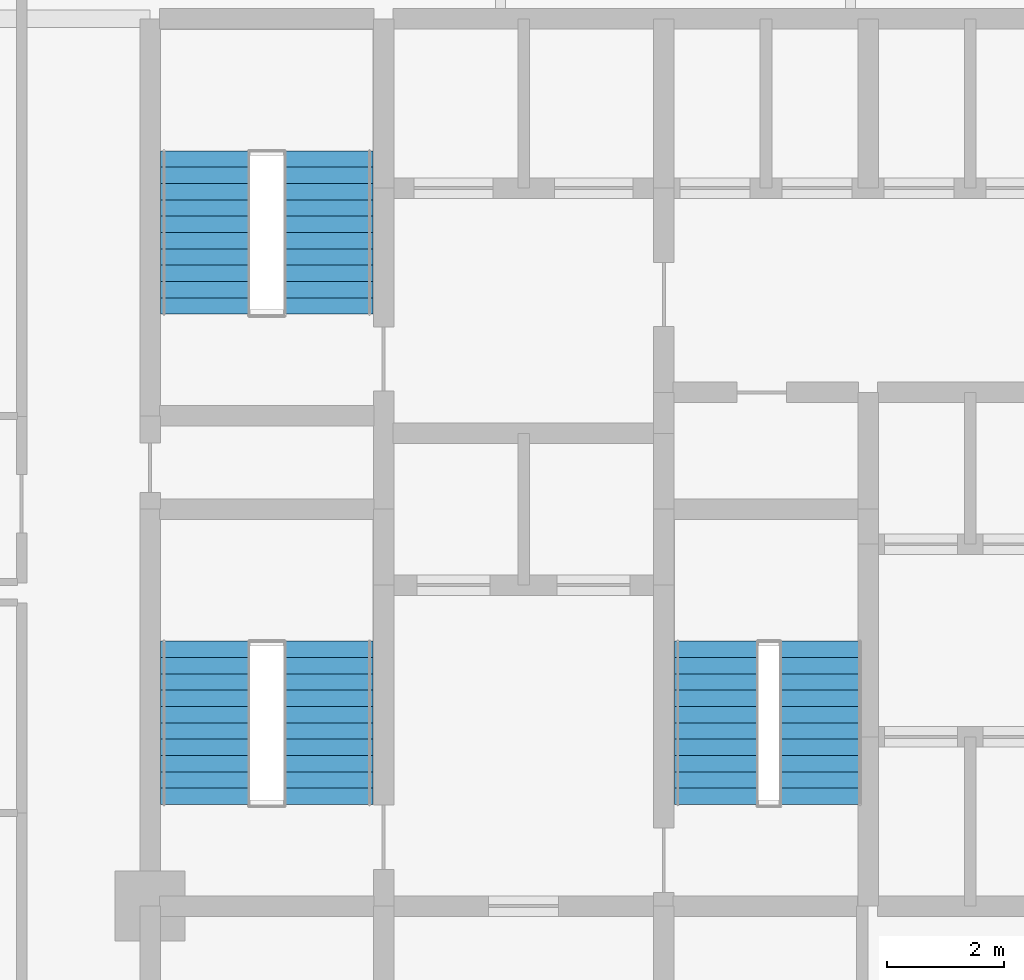
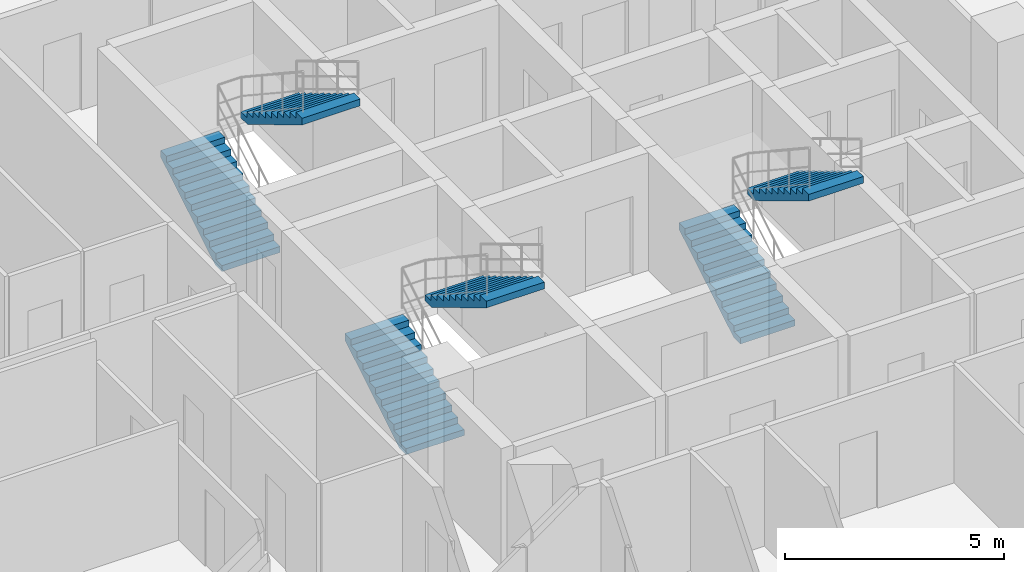
# One storey, part 32 of 34: 6 stair flights, 3 elements without a shape of their own.
"""IFC4 building model written with IfcOpenShell, lengths in metres."""

from ifc_helpers import new_model, si_unit, direction, frame, origin, place, context, subcontext, project, spatial, polyline, outline, extrude, material, type_object, element, aggregate, save


model = new_model("IFC4")

# Units and contexts
model_context = context("Model", 3, precision=1e-05, world=origin(), true_north=direction((0.0, 1.0)))
body_context = subcontext(model_context, "Body", "Model", "MODEL_VIEW")
ifc_project = project(units=[si_unit("LENGTHUNIT", "METRE"), si_unit("AREAUNIT", "SQUARE_METRE"), si_unit("VOLUMEUNIT", "CUBIC_METRE"), si_unit("PLANEANGLEUNIT", "RADIAN"), si_unit("MASSUNIT", "GRAM", prefix="KILO")], contexts=[model_context])

# Site, building, storey
site_placement = place(None, origin())
site = spatial("IfcSite", under=ifc_project, at=site_placement, CompositionType="ELEMENT")
building_placement = place(site_placement, origin())
building = spatial("IfcBuilding", under=site, at=building_placement, Name="Keshet Zoharim Tower", CompositionType="ELEMENT")
storey_placement = place(building_placement, frame((0.0, 0.0, 77.5)))
storey = spatial("IfcBuildingStorey", under=building, at=storey_placement, Name="L18", CompositionType="ELEMENT", Elevation=77.5)

# Stair, stair flights
ifc_material = material(Name="Concrete C50/60", Category="concrete")
stair_type = type_object("IfcStairType", Name="STR-EXIT-135", PredefinedType="HALF_TURN_STAIR", material=ifc_material)
stair_1_placement = place(storey_placement, origin())
stair_1 = element("IfcStair", 1, at=stair_1_placement, inside=storey, type_object=stair_type, Name="L18 Enclosed Exit Stair ST-01", PredefinedType="HALF_TURN_STAIR")
stair_flight_type_1 = type_object("IfcStairFlightType", Name="FLT-PRE-135", PredefinedType="STRAIGHT", material=ifc_material)
stair_flight_1_placement = place(storey_placement, frame((15.945068359375, 24.43994140625, 0.0), z_axis=(0.0, 0.0, 1.0), x_axis=(0.0, 1.0, 0.0)))
stair_flight_1 = element("IfcStairFlight", 2, at=stair_flight_1_placement, type_object=stair_flight_type_1, Name="ST-01 flight 1", NumberOfRisers=11, NumberOfTreads=10, PredefinedType="STRAIGHT", RiserHeight=0.168182, TreadLength=0.28, context=body_context, shape_type="SweptSolid", body=[
    extrude(outline(polyline([(0.0, 0.0), (0.0, 0.168212890625), (0.280029296875, 0.168212890625), (0.280029296875, 0.33642578125), (0.56005859375, 0.33642578125), (0.56005859375, 0.504638671875), (0.840087890625, 0.504638671875), (0.840087890625, 0.672607421875), (1.1201171875, 0.672607421875), (1.1201171875, 0.8408203125), (1.39990234375, 0.8408203125), (1.39990234375, 1.009033203125), (1.679931640625, 1.009033203125), (1.679931640625, 1.17724609375), (1.9599609375, 1.17724609375), (1.9599609375, 1.345458984375), (2.239990234375, 1.345458984375), (2.239990234375, 1.513671875), (2.52001953125, 1.513671875), (2.52001953125, 1.681884765625), (2.800048828125, 1.681884765625), (2.800048828125, 1.85009765625), (2.800048828125, 1.495361328125), (0.310546875, 0.0), (0.0, 0.0)])), frame((0.0, 0.76513671875, 0.0), z_axis=(0.0, -1.0, 0.0), x_axis=(1.0, 0.0, 0.0)), (0.0, 0.0, 1.0), 1.530029296875),
])
stair_flight_2_placement = place(storey_placement, frame((18.054931640625, 27.239990234375, 1.85009765625), z_axis=(0.0, 0.0, 1.0), x_axis=(0.0, -1.0, 0.0)))
stair_flight_2 = element("IfcStairFlight", 3, at=stair_flight_2_placement, type_object=stair_flight_type_1, Name="ST-01 flight 2", NumberOfRisers=11, NumberOfTreads=10, PredefinedType="STRAIGHT", RiserHeight=0.168182, TreadLength=0.28, context=body_context, shape_type="SweptSolid", body=[
    extrude(outline(polyline([(0.0, 0.0), (0.0, 0.168212890625), (0.280029296875, 0.168212890625), (0.280029296875, 0.33642578125), (0.56005859375, 0.33642578125), (0.56005859375, 0.504638671875), (0.840087890625, 0.504638671875), (0.840087890625, 0.672607421875), (1.1201171875, 0.672607421875), (1.1201171875, 0.8408203125), (1.39990234375, 0.8408203125), (1.39990234375, 1.009033203125), (1.679931640625, 1.009033203125), (1.679931640625, 1.17724609375), (1.9599609375, 1.17724609375), (1.9599609375, 1.345458984375), (2.239990234375, 1.345458984375), (2.239990234375, 1.513671875), (2.52001953125, 1.513671875), (2.52001953125, 1.681884765625), (2.800048828125, 1.681884765625), (2.800048828125, 1.85009765625), (2.800048828125, 1.495361328125), (0.310546875, 0.0), (0.0, 0.0)])), frame((0.0, 0.76513671875, 0.0), z_axis=(0.0, -1.0, 0.0), x_axis=(1.0, 0.0, 0.0)), (0.0, 0.0, 1.0), 1.530029296875),
])
aggregate(stair_1, [stair_flight_1, stair_flight_2])

stair_2_placement = place(storey_placement, origin())
stair_2 = element("IfcStair", 4, at=stair_2_placement, inside=storey, type_object=stair_type, Name="L18 Enclosed Exit Stair ST-02", PredefinedType="HALF_TURN_STAIR")
stair_flight_3_placement = place(storey_placement, frame((15.945068359375, 32.840087890625, 0.0), z_axis=(0.0, 0.0, 1.0), x_axis=(0.0, 1.0, 0.0)))
stair_flight_3 = element("IfcStairFlight", 5, at=stair_flight_3_placement, type_object=stair_flight_type_1, Name="ST-02 flight 1", NumberOfRisers=11, NumberOfTreads=10, PredefinedType="STRAIGHT", RiserHeight=0.168182, TreadLength=0.28, context=body_context, shape_type="SweptSolid", body=[
    extrude(outline(polyline([(0.0, 0.0), (0.0, 0.168212890625), (0.280029296875, 0.168212890625), (0.280029296875, 0.33642578125), (0.56005859375, 0.33642578125), (0.56005859375, 0.504638671875), (0.840087890625, 0.504638671875), (0.840087890625, 0.672607421875), (1.1201171875, 0.672607421875), (1.1201171875, 0.8408203125), (1.39990234375, 0.8408203125), (1.39990234375, 1.009033203125), (1.679931640625, 1.009033203125), (1.679931640625, 1.17724609375), (1.9599609375, 1.17724609375), (1.9599609375, 1.345458984375), (2.239990234375, 1.345458984375), (2.239990234375, 1.513671875), (2.52001953125, 1.513671875), (2.52001953125, 1.681884765625), (2.800048828125, 1.681884765625), (2.800048828125, 1.85009765625), (2.800048828125, 1.495361328125), (0.310546875, 0.0), (0.0, 0.0)])), frame((0.0, 0.76513671875, 0.0), z_axis=(0.0, -1.0, 0.0), x_axis=(1.0, 0.0, 0.0)), (0.0, 0.0, 1.0), 1.530029296875),
])
stair_flight_4_placement = place(storey_placement, frame((18.054931640625, 35.639892578125, 1.85009765625), z_axis=(0.0, 0.0, 1.0), x_axis=(0.0, -1.0, 0.0)))
stair_flight_4 = element("IfcStairFlight", 6, at=stair_flight_4_placement, type_object=stair_flight_type_1, Name="ST-02 flight 2", NumberOfRisers=11, NumberOfTreads=10, PredefinedType="STRAIGHT", RiserHeight=0.168182, TreadLength=0.28, context=body_context, shape_type="SweptSolid", body=[
    extrude(outline(polyline([(0.0, 0.0), (0.0, 0.168212890625), (0.280029296875, 0.168212890625), (0.280029296875, 0.33642578125), (0.56005859375, 0.33642578125), (0.56005859375, 0.504638671875), (0.840087890625, 0.504638671875), (0.840087890625, 0.672607421875), (1.1201171875, 0.672607421875), (1.1201171875, 0.8408203125), (1.39990234375, 0.8408203125), (1.39990234375, 1.009033203125), (1.679931640625, 1.009033203125), (1.679931640625, 1.17724609375), (1.9599609375, 1.17724609375), (1.9599609375, 1.345458984375), (2.239990234375, 1.345458984375), (2.239990234375, 1.513671875), (2.52001953125, 1.513671875), (2.52001953125, 1.681884765625), (2.800048828125, 1.681884765625), (2.800048828125, 1.85009765625), (2.800048828125, 1.495361328125), (0.310546875, 0.0), (0.0, 0.0)])), frame((0.0, 0.76513671875, 0.0), z_axis=(0.0, -1.0, 0.0), x_axis=(1.0, 0.0, 0.0)), (0.0, 0.0, 1.0), 1.530029296875),
])
aggregate(stair_2, [stair_flight_3, stair_flight_4])

stair_3_placement = place(storey_placement, origin())
stair_3 = element("IfcStair", 7, at=stair_3_placement, inside=storey, type_object=stair_type, Name="L18 Enclosed Exit Stair ST-03", PredefinedType="HALF_TURN_STAIR")
stair_flight_type_2 = type_object("IfcStairFlightType", Name="FLT-PRE-144", PredefinedType="STRAIGHT", material=ifc_material)
stair_flight_5_placement = place(storey_placement, frame((24.699951171875, 24.43994140625, 0.0), z_axis=(0.0, 0.0, 1.0), x_axis=(0.0, 1.0, 0.0)))
stair_flight_5 = element("IfcStairFlight", 8, at=stair_flight_5_placement, type_object=stair_flight_type_2, Name="ST-03 flight 1", NumberOfRisers=11, NumberOfTreads=10, PredefinedType="STRAIGHT", RiserHeight=0.168182, TreadLength=0.28, context=body_context, shape_type="SweptSolid", body=[
    extrude(outline(polyline([(0.0, 0.0), (0.0, 0.168212890625), (0.280029296875, 0.168212890625), (0.280029296875, 0.33642578125), (0.56005859375, 0.33642578125), (0.56005859375, 0.504638671875), (0.840087890625, 0.504638671875), (0.840087890625, 0.672607421875), (1.1201171875, 0.672607421875), (1.1201171875, 0.8408203125), (1.39990234375, 0.8408203125), (1.39990234375, 1.009033203125), (1.679931640625, 1.009033203125), (1.679931640625, 1.17724609375), (1.9599609375, 1.17724609375), (1.9599609375, 1.345458984375), (2.239990234375, 1.345458984375), (2.239990234375, 1.513671875), (2.52001953125, 1.513671875), (2.52001953125, 1.681884765625), (2.800048828125, 1.681884765625), (2.800048828125, 1.85009765625), (2.800048828125, 1.495361328125), (0.310546875, 0.0), (0.0, 0.0)])), frame((0.0, 0.719970703125, 0.0), z_axis=(0.0, -1.0, 0.0), x_axis=(1.0, 0.0, 0.0)), (0.0, 0.0, 1.0), 1.43994140625),
])
stair_flight_6_placement = place(storey_placement, frame((26.5, 27.239990234375, 1.85009765625), z_axis=(0.0, 0.0, 1.0), x_axis=(0.0, -1.0, 0.0)))
stair_flight_6 = element("IfcStairFlight", 9, at=stair_flight_6_placement, type_object=stair_flight_type_2, Name="ST-03 flight 2", NumberOfRisers=11, NumberOfTreads=10, PredefinedType="STRAIGHT", RiserHeight=0.168182, TreadLength=0.28, context=body_context, shape_type="SweptSolid", body=[
    extrude(outline(polyline([(0.0, 0.0), (0.0, 0.168212890625), (0.280029296875, 0.168212890625), (0.280029296875, 0.33642578125), (0.56005859375, 0.33642578125), (0.56005859375, 0.504638671875), (0.840087890625, 0.504638671875), (0.840087890625, 0.672607421875), (1.1201171875, 0.672607421875), (1.1201171875, 0.8408203125), (1.39990234375, 0.8408203125), (1.39990234375, 1.009033203125), (1.679931640625, 1.009033203125), (1.679931640625, 1.17724609375), (1.9599609375, 1.17724609375), (1.9599609375, 1.345458984375), (2.239990234375, 1.345458984375), (2.239990234375, 1.513671875), (2.52001953125, 1.513671875), (2.52001953125, 1.681884765625), (2.800048828125, 1.681884765625), (2.800048828125, 1.85009765625), (2.800048828125, 1.495361328125), (0.310546875, 0.0), (0.0, 0.0)])), frame((0.0, 0.719970703125, 0.0), z_axis=(0.0, -1.0, 0.0), x_axis=(1.0, 0.0, 0.0)), (0.0, 0.0, 1.0), 1.43994140625),
])
aggregate(stair_3, [stair_flight_5, stair_flight_6])

save(model, "model.ifc")
